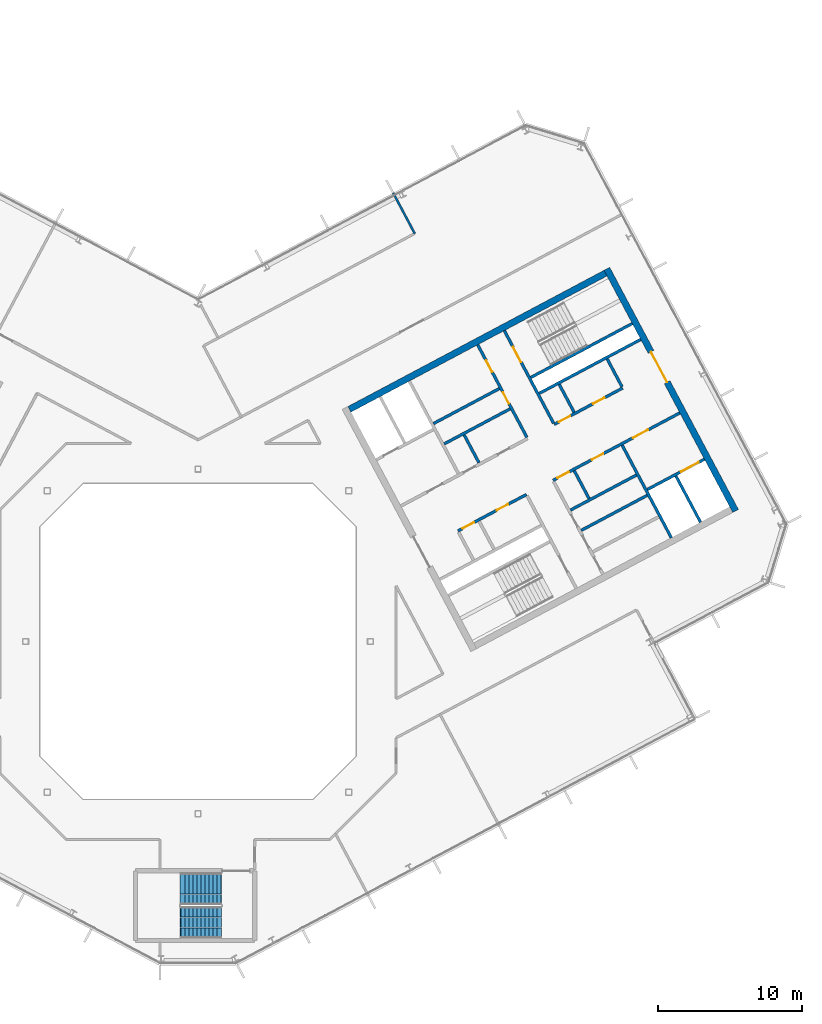
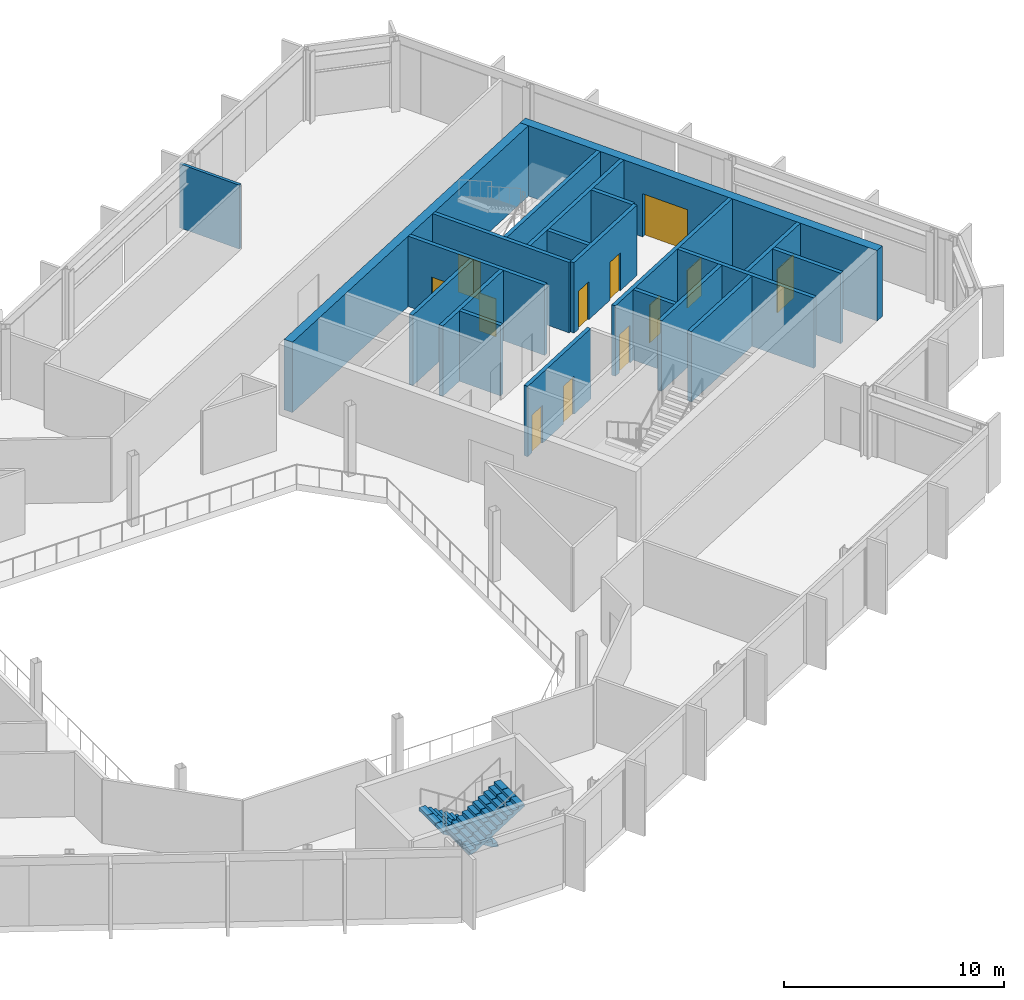
# One storey, part 16 of 25: 21 walls, 12 doors, 2 stair flights, 12 openings, 1 element without a shape of its own.
"""IFC4 building model written with IfcOpenShell, lengths in metres."""

import ifcopenshell
import ifcopenshell.guid

model = None  # the IFC model being written
_history = None  # IfcOwnerHistory: only IFC2X3 demands one
_inside = {}  # id of a spatial element -> (the spatial element, [elements in it])
_under = {}  # id of a project, library or spatial element -> (it, [spatial elements below it])
_declared = {}  # id of a project -> (the project, [libraries it declares])
_typed = {}  # id of a type object -> (the type object, [elements of that type])
_made_of = {}  # id of a material, layer set ... -> (it, [elements and type objects made of it])


def new_model(schema):
    """Start an empty IFC model of exactly this schema.

    Asked for "IFC4X3", IfcOpenShell would pick the latest addendum, in which some entities
    have other attributes; the version numbers below select the first issue.
    IFC2X3 requires an IfcOwnerHistory on every rooted entity: one is made here for all.
    """
    global model, _history
    if schema == "IFC4X3":
        model = ifcopenshell.file(schema_version=(4, 3, 0, 0))
    else:
        model = ifcopenshell.file(schema=schema)
    _inside.clear()
    _under.clear()
    _declared.clear()
    _typed.clear()
    _made_of.clear()
    _history = None
    if model.schema == "IFC2X3":
        org = make("IfcOrganization", Name="unknown")
        user = make(
            "IfcPersonAndOrganization",
            ThePerson=make("IfcPerson", FamilyName="unknown"),
            TheOrganization=org,
        )
        app = make(
            "IfcApplication",
            ApplicationDeveloper=org,
            Version="unknown",
            ApplicationFullName="unknown",
            ApplicationIdentifier="unknown",
        )
        _history = make(
            "IfcOwnerHistory",
            OwningUser=user,
            OwningApplication=app,
            ChangeAction="ADDED",
            CreationDate=0,
        )
    return model


def make(cls, **values):
    """One entity of the class cls with the attributes given. An attribute that is None is left unset."""
    return model.create_entity(
        cls, **{name: value for name, value in values.items() if value is not None}
    )


def rooted(cls, **values):
    """An entity with a GlobalId (a new one), such as an element, a storey or a relation."""
    return make(cls, GlobalId=ifcopenshell.guid.new(), OwnerHistory=_history, **values)


def si_unit(unit_type, name, prefix=None):
    """IfcSIUnit, for example si_unit("LENGTHUNIT", "METRE", prefix="MILLI")."""
    return make("IfcSIUnit", UnitType=unit_type, Prefix=prefix, Name=name)


def assignment(units):
    """IfcUnitAssignment: the units of a project."""
    return None if units is None else make("IfcUnitAssignment", Units=units)


def point(xyz):
    """IfcCartesianPoint."""
    return None if xyz is None else make("IfcCartesianPoint", Coordinates=xyz)


def direction(xyz):
    """IfcDirection."""
    return None if xyz is None else make("IfcDirection", DirectionRatios=xyz)


def frame(location, z_axis=None, x_axis=None):
    """IfcAxis2Placement3D, a coordinate frame: its origin and axes. An axis left out is left unset."""
    return make(
        "IfcAxis2Placement3D",
        Location=point(location),
        Axis=direction(z_axis),
        RefDirection=direction(x_axis),
    )


def frame_2d(location, x_axis=None):
    """IfcAxis2Placement2D, a coordinate frame in the plane: its origin and x axis."""
    return make(
        "IfcAxis2Placement2D", Location=point(location), RefDirection=direction(x_axis)
    )


def origin():
    """The frame at (0, 0, 0) with its axes left unset."""
    return frame((0.0, 0.0, 0.0))


def place(relative_to, where):
    """IfcLocalPlacement: puts the frame where relative to a parent placement (None: the world)."""
    return make(
        "IfcLocalPlacement", PlacementRelTo=relative_to, RelativePlacement=where
    )


def context(
    kind, dimensions, precision=None, world=None, true_north=None, identifier=None
):
    """IfcGeometricRepresentationContext, for example the 3D "Model" context."""
    return make(
        "IfcGeometricRepresentationContext",
        ContextIdentifier=identifier,
        ContextType=kind,
        CoordinateSpaceDimension=dimensions,
        Precision=precision,
        WorldCoordinateSystem=world,
        TrueNorth=true_north,
    )


def subcontext(parent, identifier, kind, view, scale=None):
    """IfcGeometricRepresentationSubContext, for example "Body" below "Model"."""
    return make(
        "IfcGeometricRepresentationSubContext",
        ContextIdentifier=identifier,
        ContextType=kind,
        ParentContext=parent,
        TargetScale=scale,
        TargetView=view,
    )


def project(units=None, contexts=None):
    """IfcProject with its units and contexts."""
    return rooted(
        "IfcProject",
        Name="project",
        RepresentationContexts=contexts,
        UnitsInContext=assignment(units),
    )


def spatial(cls, under=None, at=None, **own):
    """A site, building, storey or space (cls), placed at a placement, below another one or the project."""
    s = rooted(cls, ObjectPlacement=at, **own)
    if under is not None:
        _under.setdefault(under.id(), (under, []))[1].append(s)
    return s


def polyline(points):
    """IfcPolyline through the points."""
    return make("IfcPolyline", Points=[point(p) for p in points])


def profile(cls, at=None, kind="AREA", **sizes):
    """A parametric profile (cls). Its sizes go by their IFC names, for example OverallWidth=200.0."""
    return make(cls, ProfileType=kind, Position=at, **sizes)


def rectangle(**sizes):
    """IfcRectangleProfileDef."""
    return profile("IfcRectangleProfileDef", **sizes)


def outline(outer, holes=None, kind="AREA"):
    """IfcArbitraryClosedProfileDef: a profile drawn as a closed curve; with holes, ...WithVoids."""
    if holes is None:
        return make("IfcArbitraryClosedProfileDef", ProfileType=kind, OuterCurve=outer)
    return make(
        "IfcArbitraryProfileDefWithVoids",
        ProfileType=kind,
        OuterCurve=outer,
        InnerCurves=holes,
    )


def extrude(swept, where, along, depth):
    """IfcExtrudedAreaSolid: the profile swept, set in the frame where, extruded along a direction by depth."""
    return make(
        "IfcExtrudedAreaSolid",
        SweptArea=swept,
        Position=where,
        ExtrudedDirection=direction(along),
        Depth=depth,
    )


def shape(context_of_items, identifier, shape_type, items):
    """IfcShapeRepresentation: the items that make up one representation, for example the "Body"."""
    return make(
        "IfcShapeRepresentation",
        ContextOfItems=context_of_items,
        RepresentationIdentifier=identifier,
        RepresentationType=shape_type,
        Items=items,
    )


def material(Name=None, Category=None):
    """IfcMaterial."""
    return make("IfcMaterial", Name=Name, Category=Category)


def layer(
    of_material, thickness, ventilated=None, Name=None, Category=None, Priority=None
):
    """IfcMaterialLayer: one layer of a wall or slab, of a material (None: an air gap)."""
    return make(
        "IfcMaterialLayer",
        Material=of_material,
        LayerThickness=thickness,
        IsVentilated=ventilated,
        Name=Name,
        Category=Category,
        Priority=Priority,
    )


def layer_set(layers, Name=None):
    """IfcMaterialLayerSet."""
    return make("IfcMaterialLayerSet", MaterialLayers=layers, LayerSetName=Name)


def made_of(thing, what):
    """Note that an element or type object is made of a material, layer set ...; save() writes the relation."""
    if what is not None:
        _made_of.setdefault(what.id(), (what, []))[1].append(thing)
    return thing


def type_object(cls, material=None, **own):
    """A type object (cls), such as IfcWallType, which elements share."""
    return made_of(rooted(cls, **own), material)


def element(
    cls,
    number,
    at=None,
    inside=None,
    cuts=None,
    type_object=None,
    material=None,
    context=None,
    identifier="Body",
    shape_type=None,
    held_by="IfcProductDefinitionShape",
    body=None,
    shapes=None,
    **own,
):
    """One element of the class cls, such as IfcWall. Its Tag is "e" and its number.

    at: its placement. inside: the storey or other place that contains it. cuts: it is an
    opening in that element (IfcRelVoidsElement). A single representation is given by context,
    identifier, shape_type and body (its items); several are given by shapes. held_by: the class
    of the entity that holds the representations. save() writes the other relations.
    """
    e = rooted(cls, Tag="e%d" % number, ObjectPlacement=at, **own)
    if body is not None:
        shapes = [shape(context, identifier, shape_type, body)]
    if shapes is not None:
        e.Representation = make(held_by, Representations=shapes)
    if inside is not None:
        _inside.setdefault(inside.id(), (inside, []))[1].append(e)
    if cuts is not None:
        rooted(
            "IfcRelVoidsElement", RelatingBuildingElement=cuts, RelatedOpeningElement=e
        )
    if type_object is not None:
        _typed.setdefault(type_object.id(), (type_object, []))[1].append(e)
    return made_of(e, material)


def fill(opening, filler):
    """IfcRelFillsElement: the door or window that sits in an opening."""
    return rooted(
        "IfcRelFillsElement",
        RelatingOpeningElement=opening,
        RelatedBuildingElement=filler,
    )


def aggregate(whole, parts):
    """IfcRelAggregates: a whole, such as a stair, and the parts it consists of."""
    return rooted("IfcRelAggregates", RelatingObject=whole, RelatedObjects=parts)


def save(model, path):
    """Write the relations noted so far, then the file.

    IfcRelAggregates (storeys below a building ...), IfcRelContainedInSpatialStructure (elements
    in a storey), IfcRelDefinesByType, IfcRelAssociatesMaterial and IfcRelDeclares: one each for
    every whole, place, type object, material and project.
    """
    for whole, parts in _under.values():
        aggregate(whole, parts)
    for where, things in _inside.values():
        rooted(
            "IfcRelContainedInSpatialStructure",
            RelatedElements=things,
            RelatingStructure=where,
        )
    for kind, things in _typed.values():
        rooted("IfcRelDefinesByType", RelatedObjects=things, RelatingType=kind)
    for what, things in _made_of.values():
        rooted("IfcRelAssociatesMaterial", RelatedObjects=things, RelatingMaterial=what)
    for by, libraries in _declared.values():
        rooted("IfcRelDeclares", RelatingContext=by, RelatedDefinitions=libraries)
    model.write(path)


model = new_model("IFC4")

# Units and contexts
model_context = context("Model", 3, precision=1e-05, world=origin(), true_north=direction((0.0, 1.0)))
body_context = subcontext(model_context, "Body", "Model", "MODEL_VIEW")
ifc_project = project(units=[si_unit("LENGTHUNIT", "METRE"), si_unit("AREAUNIT", "SQUARE_METRE"), si_unit("VOLUMEUNIT", "CUBIC_METRE"), si_unit("PLANEANGLEUNIT", "RADIAN"), si_unit("MASSUNIT", "GRAM", prefix="KILO")], contexts=[model_context])

# Site, building, storey
site_placement = place(None, origin())
site = spatial("IfcSite", under=ifc_project, at=site_placement, CompositionType="ELEMENT")
building_placement = place(site_placement, origin())
building = spatial("IfcBuilding", under=site, at=building_placement, Name="Cormorant Relay Tower", CompositionType="ELEMENT")
storey_placement = place(building_placement, frame((0.0, 0.0, 297.0)))
storey = spatial("IfcBuildingStorey", under=building, at=storey_placement, Name="L67", CompositionType="ELEMENT", Elevation=297.0)

# Walls
ifc_material_1 = material(Name="Concrete 40 MPa", Category="concrete")
ifc_layer_1 = layer(ifc_material_1, 0.199951171875)
ifc_layer_set_1 = layer_set([ifc_layer_1], Name="Core internal wall 200")
wall_type_1 = type_object("IfcWallType", Name="Core internal wall 200", PredefinedType="SOLIDWALL", material=ifc_layer_set_1)
for number, where, z_axis, x_axis, name in (
    (1, (19.568603515625, 12.443603515625, 0.0), (0.0, 0.0, 1.0), (-0.4694473164, 0.882960484464, 0.0), "L67 core B shaft and room wall"),
    (2, (27.236083984375, 9.951416015625, 0.0), (0.0, 0.0, 1.0), (-0.4694473164, 0.882960484464, 0.0), "L67 core B shaft and room wall"),
    (3, (26.19091796875, 15.964599609375, 0.0), (0.0, 0.0, 1.0), (-0.469533832133, 0.882914480843, 0.0), "L67 core B shaft and room wall"),
):
    element("IfcWall", number, at=place(storey_placement, frame(where, z_axis=z_axis, x_axis=x_axis)), inside=storey, type_object=wall_type_1, Name=name, PredefinedType="SOLIDWALL", context=body_context, shape_type="SweptSolid", body=[
        extrude(rectangle(XDim=2.199951171875, YDim=0.199951171875, at=frame_2d((1.10009765625, 0.0))), origin(), (0.0, 0.0, 1.0), 3.89990234375),
    ])
for number, where, z_axis, x_axis, name in (
    (4, (26.692138671875, 7.73681640625, 0.0), (0.0, 0.0, 1.0), (0.882953967957, 0.469459572775, 0.0), "L67 core B shaft and room wall"),
    (5, (16.395751953125, 15.17333984375, 0.0), (0.0, 0.0, 1.0), (0.882934506056, 0.469496174655, 0.0), "L67 core B shaft and room wall"),
):
    element("IfcWall", number, at=place(storey_placement, frame(where, z_axis=z_axis, x_axis=x_axis)), inside=storey, type_object=wall_type_1, Name=name, PredefinedType="SOLIDWALL", context=body_context, shape_type="SweptSolid", body=[
        extrude(rectangle(XDim=5.199951171875, YDim=0.199951171875, at=frame_2d((2.60009765625, 0.0))), origin(), (0.0, 0.0, 1.0), 3.89990234375),
    ])

# Wall, openings, doors
ifc_material_2 = material(Name="Concrete 50 MPa", Category="concrete")
ifc_layer_2 = layer(ifc_material_2, 0.199951171875)
ifc_layer_set_2 = layer_set([ifc_layer_2], Name="Core shaft wall 200")
wall_type_2 = type_object("IfcWallType", Name="Core shaft wall 200", PredefinedType="SHEAR", material=ifc_layer_set_2)
wall_1_placement = place(storey_placement, frame((22.90625, 14.218017578125, 0.0), z_axis=(0.0, 0.0, 1.0), x_axis=(-0.469480409012, 0.88294288918, 0.0)))
wall_1 = element("IfcWall", 6, at=wall_1_placement, inside=storey, type_object=wall_type_2, Name="L67 core B shaft wall", PredefinedType="SHEAR", context=body_context, shape_type="SweptSolid", body=[
    extrude(rectangle(XDim=7.300048828125, YDim=0.199951171875, at=frame_2d((3.64990234375, 0.0))), origin(), (0.0, 0.0, 1.0), 3.89990234375),
])
opening_1_placement = place(wall_1_placement, frame((2.64990234375, 0.0, 0.0)))
opening_1 = element("IfcOpeningElement", 7, at=opening_1_placement, cuts=wall_1, Name="Opening CDD-304", PredefinedType="OPENING", context=body_context, shape_type="SweptSolid", body=[
    extrude(rectangle(XDim=0.89990234375, YDim=2.10009765625, at=frame_2d((0.449951171875, 1.050048828125))), frame((0.0, 0.10986328125, 0.0), z_axis=(0.0, -1.0, 0.0), x_axis=(1.0, 0.0, 0.0)), (0.0, 0.0, 1.0), 0.219970703125),
])
opening_2_placement = place(wall_1_placement, frame((5.14990234375, 0.0, 0.0)))
opening_2 = element("IfcOpeningElement", 8, at=opening_2_placement, cuts=wall_1, Name="Opening CDD-342", PredefinedType="OPENING", context=body_context, shape_type="SweptSolid", body=[
    extrude(rectangle(XDim=0.89990234375, YDim=2.10009765625, at=frame_2d((0.449951171875, 1.050048828125))), frame((0.0, 0.10986328125, 0.0), z_axis=(0.0, -1.0, 0.0), x_axis=(1.0, 0.0, 0.0)), (0.0, 0.0, 1.0), 0.219970703125),
])
ifc_material_3 = material(Name="Steel fire door", Category="steel")
door_type_1 = type_object("IfcDoorType", Name="Core room door 900x2100", OperationType="SINGLE_SWING_LEFT", PredefinedType="DOOR", material=ifc_material_3)
door_1_placement = place(opening_1_placement, origin())
door_1 = element("IfcDoor", 9, at=door_1_placement, inside=storey, type_object=door_type_1, Name="Core room door 900x2100", OperationType="SINGLE_SWING_RIGHT", OverallHeight=2.10009765625, OverallWidth=0.89990234375, PredefinedType="DOOR", context=body_context, shape_type="SweptSolid", body=[
    extrude(rectangle(XDim=0.89990234375, YDim=2.10009765625, at=frame_2d((0.449951171875, 1.050048828125))), frame((0.0, 0.02490234375, 0.0), z_axis=(0.0, -1.0, 0.0), x_axis=(1.0, 0.0, 0.0)), (0.0, 0.0, 1.0), 0.050048828125),
])
fill(opening_1, door_1)
door_2_placement = place(opening_2_placement, origin())
door_2 = element("IfcDoor", 10, at=door_2_placement, inside=storey, type_object=door_type_1, Name="Core room door 900x2100", OperationType="SINGLE_SWING_LEFT", OverallHeight=2.10009765625, OverallWidth=0.89990234375, PredefinedType="DOOR", context=body_context, shape_type="SweptSolid", body=[
    extrude(rectangle(XDim=0.89990234375, YDim=2.10009765625, at=frame_2d((0.449951171875, 1.050048828125))), frame((0.0, 0.02490234375, 0.0), z_axis=(0.0, -1.0, 0.0), x_axis=(1.0, 0.0, 0.0)), (0.0, 0.0, 1.0), 0.050048828125),
])
fill(opening_2, door_2)

# Wall, opening, door
wall_2_placement = place(storey_placement, frame((24.760498046875, 15.2041015625, 0.0), z_axis=(0.0, 0.0, 1.0), x_axis=(-0.469494272526, 0.882935517501, 0.0)))
wall_2 = element("IfcWall", 11, at=wall_2_placement, inside=storey, type_object=wall_type_2, Name="L67 core B shaft wall", PredefinedType="SHEAR", context=body_context, shape_type="SweptSolid", body=[
    extrude(rectangle(XDim=7.2998046875, YDim=0.199951171875, at=frame_2d((3.64990234375, 0.0))), origin(), (0.0, 0.0, 1.0), 3.89990234375),
])
opening_3_placement = place(wall_2_placement, frame((4.800048828125, 0.0, 0.0)))
opening_3 = element("IfcOpeningElement", 12, at=opening_3_placement, cuts=wall_2, Name="Opening CDB-041", PredefinedType="OPENING", context=body_context, shape_type="SweptSolid", body=[
    extrude(rectangle(XDim=1.199951171875, YDim=2.10009765625, at=frame_2d((0.60009765625, 1.050048828125))), frame((0.0, 0.10986328125, 0.0), z_axis=(0.0, -1.0, 0.0), x_axis=(1.0, 0.0, 0.0)), (0.0, 0.0, 1.0), 0.219970703125),
])
ifc_material_4 = material(Name="Steel fire door", Category="steel")
door_type_2 = type_object("IfcDoorType", Name="Core stair door 1200x2100", OperationType="SINGLE_SWING_LEFT", PredefinedType="DOOR", material=ifc_material_4)
door_3_placement = place(opening_3_placement, frame((1.199951171875, 0.0, 0.0), z_axis=(0.0, 0.0, 1.0), x_axis=(-1.0, 0.0, 0.0)))
door_3 = element("IfcDoor", 13, at=door_3_placement, inside=storey, type_object=door_type_2, Name="Core stair door 1200x2100", OperationType="SINGLE_SWING_RIGHT", OverallHeight=2.10009765625, OverallWidth=1.199951171875, PredefinedType="DOOR", context=body_context, shape_type="SweptSolid", body=[
    extrude(rectangle(XDim=1.199951171875, YDim=2.10009765625, at=frame_2d((0.60009765625, 1.050048828125))), frame((0.0, 0.02490234375, 0.0), z_axis=(0.0, -1.0, 0.0), x_axis=(1.0, 0.0, 0.0)), (0.0, 0.0, 1.0), 0.050048828125),
])
fill(opening_3, door_3)

# Walls
wall_3_placement = place(storey_placement, frame((32.968017578125, 7.222900390625, 0.0), z_axis=(0.0, 0.0, 1.0), x_axis=(-0.469480409012, 0.88294288918, 0.0)))
element("IfcWall", 14, at=wall_3_placement, inside=storey, type_object=wall_type_2, Name="L67 core B shaft wall", PredefinedType="SHEAR", context=body_context, shape_type="SweptSolid", body=[
    extrude(rectangle(XDim=7.300048828125, YDim=0.199951171875, at=frame_2d((3.64990234375, 0.0))), origin(), (0.0, 0.0, 1.0), 3.89990234375),
])
wall_4_placement = place(storey_placement, frame((29.5283203125, 17.739013671875, 0.0), z_axis=(0.0, 0.0, 1.0), x_axis=(-0.469401318492, 0.882984938828, 0.0)))
element("IfcWall", 15, at=wall_4_placement, inside=storey, type_object=wall_type_2, Name="L67 core B shaft wall", PredefinedType="SHEAR", context=body_context, shape_type="SweptSolid", body=[
    extrude(rectangle(XDim=2.199951171875, YDim=0.199951171875, at=frame_2d((1.10009765625, 0.0))), origin(), (0.0, 0.0, 1.0), 3.89990234375),
])
wall_5_placement = place(storey_placement, frame((34.998779296875, 8.302734375, 0.0), z_axis=(0.0, 0.0, 1.0), x_axis=(-0.4694665462, 0.882950260207, 0.0)))
element("IfcWall", 16, at=wall_5_placement, inside=storey, type_object=wall_type_2, Name="L67 core B shaft wall", PredefinedType="SHEAR", context=body_context, shape_type="SweptSolid", body=[
    extrude(rectangle(XDim=3.650146484375, YDim=0.199951171875, at=frame_2d((1.8251953125, 0.0))), origin(), (0.0, 0.0, 1.0), 3.89990234375),
])

# Wall, opening, door
wall_6_placement = place(storey_placement, frame((31.295654296875, 10.5810546875, 0.0), z_axis=(0.0, 0.0, 1.0), x_axis=(0.882960433586, 0.469447412093, 0.0)))
wall_6 = element("IfcWall", 17, at=wall_6_placement, inside=storey, type_object=wall_type_2, Name="L67 core B shaft wall", PredefinedType="SHEAR", context=body_context, shape_type="SweptSolid", body=[
    extrude(rectangle(XDim=4.5, YDim=0.199951171875, at=frame_2d((2.25, 0.0))), origin(), (0.0, 0.0, 1.0), 3.89990234375),
])
opening_4_placement = place(wall_6_placement, frame((2.64990234375, 0.0, 0.0)))
opening_4 = element("IfcOpeningElement", 18, at=opening_4_placement, cuts=wall_6, Name="Opening LD3-016", PredefinedType="OPENING", context=body_context, shape_type="SweptSolid", body=[
    extrude(rectangle(XDim=1.39990234375, YDim=2.39990234375, at=frame_2d((0.699951171875, 1.199951171875))), frame((0.0, 0.10986328125, 0.0), z_axis=(0.0, -1.0, 0.0), x_axis=(1.0, 0.0, 0.0)), (0.0, 0.0, 1.0), 0.219970703125),
])
ifc_material_5 = material(Name="Stainless steel 316", Category="steel")
door_type_3 = type_object("IfcDoorType", Name="Lift landing door 1400x2400", OperationType="DOUBLE_DOOR_SLIDING", PredefinedType="DOOR", material=ifc_material_5)
door_4_placement = place(opening_4_placement, origin())
door_4 = element("IfcDoor", 19, at=door_4_placement, inside=storey, type_object=door_type_3, Name="SV2 landing door", OperationType="DOUBLE_DOOR_SLIDING", OverallHeight=2.39990234375, OverallWidth=1.39990234375, PredefinedType="DOOR", context=body_context, shape_type="SweptSolid", body=[
    extrude(rectangle(XDim=1.39990234375, YDim=2.39990234375, at=frame_2d((0.699951171875, 1.199951171875))), frame((0.0, 0.02490234375, 0.0), z_axis=(0.0, -1.0, 0.0), x_axis=(1.0, 0.0, 0.0)), (0.0, 0.0, 1.0), 0.050048828125),
])
fill(opening_4, door_4)

# Wall
wall_7_placement = place(storey_placement, frame((25.94091796875, 9.149658203125, 0.0), z_axis=(0.0, 0.0, 1.0), x_axis=(0.882953967957, 0.469459572775, 0.0)))
element("IfcWall", 20, at=wall_7_placement, inside=storey, type_object=wall_type_2, Name="L67 core B shaft wall", PredefinedType="SHEAR", context=body_context, shape_type="SweptSolid", body=[
    extrude(rectangle(XDim=5.199951171875, YDim=0.199951171875, at=frame_2d((2.60009765625, 0.0))), origin(), (0.0, 0.0, 1.0), 3.89990234375),
])

# Wall, openings, doors
wall_8_placement = place(storey_placement, frame((18.103759765625, 7.70068359375, 0.0), z_axis=(0.0, 0.0, 1.0), x_axis=(0.882952937579, 0.469461510692, 0.0)))
wall_8 = element("IfcWall", 21, at=wall_8_placement, inside=storey, type_object=wall_type_2, Name="L67 core B shaft wall", PredefinedType="SHEAR", context=body_context, shape_type="SweptSolid", body=[
    extrude(rectangle(XDim=5.400146484375, YDim=0.199951171875, at=frame_2d((2.7001953125, 0.0))), origin(), (0.0, 0.0, 1.0), 3.89990234375),
])
opening_5_placement = place(wall_8_placement, frame((0.360107421875, 0.0, 0.0)))
opening_5 = element("IfcOpeningElement", 22, at=opening_5_placement, cuts=wall_8, Name="Opening CDD-245", PredefinedType="OPENING", context=body_context, shape_type="SweptSolid", body=[
    extrude(rectangle(XDim=0.89990234375, YDim=2.10009765625, at=frame_2d((0.449951171875, 1.050048828125))), frame((0.0, 0.10986328125, 0.0), z_axis=(0.0, -1.0, 0.0), x_axis=(1.0, 0.0, 0.0)), (0.0, 0.0, 1.0), 0.219970703125),
])
opening_6_placement = place(wall_8_placement, frame((3.06005859375, 0.0, 0.0)))
opening_6 = element("IfcOpeningElement", 23, at=opening_6_placement, cuts=wall_8, Name="Opening CDD-246", PredefinedType="OPENING", context=body_context, shape_type="SweptSolid", body=[
    extrude(rectangle(XDim=0.89990234375, YDim=2.10009765625, at=frame_2d((0.449951171875, 1.050048828125))), frame((0.0, 0.10986328125, 0.0), z_axis=(0.0, -1.0, 0.0), x_axis=(1.0, 0.0, 0.0)), (0.0, 0.0, 1.0), 0.219970703125),
])
door_5_placement = place(opening_5_placement, frame((0.89990234375, 0.0, 0.0), z_axis=(0.0, 0.0, 1.0), x_axis=(-1.0, 0.0, 0.0)))
door_5 = element("IfcDoor", 24, at=door_5_placement, inside=storey, type_object=door_type_1, Name="Core room door 900x2100", OperationType="SINGLE_SWING_RIGHT", OverallHeight=2.10009765625, OverallWidth=0.89990234375, PredefinedType="DOOR", context=body_context, shape_type="SweptSolid", body=[
    extrude(rectangle(XDim=0.89990234375, YDim=2.10009765625, at=frame_2d((0.449951171875, 1.050048828125))), frame((0.0, 0.02490234375, 0.0), z_axis=(0.0, -1.0, 0.0), x_axis=(1.0, 0.0, 0.0)), (0.0, 0.0, 1.0), 0.050048828125),
])
fill(opening_5, door_5)
door_6_placement = place(opening_6_placement, frame((0.89990234375, 0.0, 0.0), z_axis=(0.0, 0.0, 1.0), x_axis=(-1.0, 0.0, 0.0)))
door_6 = element("IfcDoor", 25, at=door_6_placement, inside=storey, type_object=door_type_1, Name="Core room door 900x2100", OperationType="SINGLE_SWING_RIGHT", OverallHeight=2.10009765625, OverallWidth=0.89990234375, PredefinedType="DOOR", context=body_context, shape_type="SweptSolid", body=[
    extrude(rectangle(XDim=0.89990234375, YDim=2.10009765625, at=frame_2d((0.449951171875, 1.050048828125))), frame((0.0, 0.02490234375, 0.0), z_axis=(0.0, -1.0, 0.0), x_axis=(1.0, 0.0, 0.0)), (0.0, 0.0, 1.0), 0.050048828125),
])
fill(opening_6, door_6)

wall_9_placement = place(storey_placement, frame((24.72607421875, 11.2216796875, 0.0), z_axis=(0.0, 0.0, 1.0), x_axis=(0.882940221191, 0.469485426614, 0.0)))
wall_9 = element("IfcWall", 26, at=wall_9_placement, inside=storey, type_object=wall_type_2, Name="L67 core B shaft wall", PredefinedType="SHEAR", context=body_context, shape_type="SweptSolid", body=[
    extrude(rectangle(XDim=10.0, YDim=0.199951171875, at=frame_2d((5.0, 0.0))), origin(), (0.0, 0.0, 1.0), 3.89990234375),
])
opening_7_placement = place(wall_9_placement, frame((6.300048828125, 0.0, 0.0)))
opening_7 = element("IfcOpeningElement", 27, at=opening_7_placement, cuts=wall_9, Name="Opening CDC-036", PredefinedType="OPENING", context=body_context, shape_type="SweptSolid", body=[
    extrude(rectangle(XDim=1.199951171875, YDim=2.10009765625, at=frame_2d((0.60009765625, 1.050048828125))), frame((0.0, 0.10986328125, 0.0), z_axis=(0.0, -1.0, 0.0), x_axis=(1.0, 0.0, 0.0)), (0.0, 0.0, 1.0), 0.219970703125),
])
opening_8_placement = place(wall_9_placement, frame((0.360107421875, 0.0, 0.0)))
opening_8 = element("IfcOpeningElement", 28, at=opening_8_placement, cuts=wall_9, Name="Opening CDD-247", PredefinedType="OPENING", context=body_context, shape_type="SweptSolid", body=[
    extrude(rectangle(XDim=0.89990234375, YDim=2.10009765625, at=frame_2d((0.449951171875, 1.050048828125))), frame((0.0, 0.10986328125, 0.0), z_axis=(0.0, -1.0, 0.0), x_axis=(1.0, 0.0, 0.0)), (0.0, 0.0, 1.0), 0.219970703125),
])
opening_9_placement = place(wall_9_placement, frame((3.06005859375, 0.0, 0.0)))
opening_9 = element("IfcOpeningElement", 29, at=opening_9_placement, cuts=wall_9, Name="Opening CDD-248", PredefinedType="OPENING", context=body_context, shape_type="SweptSolid", body=[
    extrude(rectangle(XDim=0.89990234375, YDim=2.10009765625, at=frame_2d((0.449951171875, 1.050048828125))), frame((0.0, 0.10986328125, 0.0), z_axis=(0.0, -1.0, 0.0), x_axis=(1.0, 0.0, 0.0)), (0.0, 0.0, 1.0), 0.219970703125),
])
ifc_material_6 = material(Name="Steel fire door", Category="steel")
door_type_4 = type_object("IfcDoorType", Name="Core lobby door 1200x2100", OperationType="SINGLE_SWING_LEFT", PredefinedType="DOOR", material=ifc_material_6)
door_7_placement = place(opening_7_placement, frame((1.199951171875, 0.0, 0.0), z_axis=(0.0, 0.0, 1.0), x_axis=(-1.0, 0.0, 0.0)))
door_7 = element("IfcDoor", 30, at=door_7_placement, inside=storey, type_object=door_type_4, Name="Core lobby door 1200x2100", OperationType="SINGLE_SWING_RIGHT", OverallHeight=2.10009765625, OverallWidth=1.199951171875, PredefinedType="DOOR", context=body_context, shape_type="SweptSolid", body=[
    extrude(rectangle(XDim=1.199951171875, YDim=2.10009765625, at=frame_2d((0.60009765625, 1.050048828125))), frame((0.0, 0.02490234375, 0.0), z_axis=(0.0, -1.0, 0.0), x_axis=(1.0, 0.0, 0.0)), (0.0, 0.0, 1.0), 0.050048828125),
])
fill(opening_7, door_7)
door_8_placement = place(opening_8_placement, frame((0.89990234375, 0.0, 0.0), z_axis=(0.0, 0.0, 1.0), x_axis=(-1.0, 0.0, 0.0)))
door_8 = element("IfcDoor", 31, at=door_8_placement, inside=storey, type_object=door_type_1, Name="Core room door 900x2100", OperationType="SINGLE_SWING_RIGHT", OverallHeight=2.10009765625, OverallWidth=0.89990234375, PredefinedType="DOOR", context=body_context, shape_type="SweptSolid", body=[
    extrude(rectangle(XDim=0.89990234375, YDim=2.10009765625, at=frame_2d((0.449951171875, 1.050048828125))), frame((0.0, 0.02490234375, 0.0), z_axis=(0.0, -1.0, 0.0), x_axis=(1.0, 0.0, 0.0)), (0.0, 0.0, 1.0), 0.050048828125),
])
fill(opening_8, door_8)
door_9_placement = place(opening_9_placement, frame((0.89990234375, 0.0, 0.0), z_axis=(0.0, 0.0, 1.0), x_axis=(-1.0, 0.0, 0.0)))
door_9 = element("IfcDoor", 32, at=door_9_placement, inside=storey, type_object=door_type_1, Name="Core room door 900x2100", OperationType="SINGLE_SWING_RIGHT", OverallHeight=2.10009765625, OverallWidth=0.89990234375, PredefinedType="DOOR", context=body_context, shape_type="SweptSolid", body=[
    extrude(rectangle(XDim=0.89990234375, YDim=2.10009765625, at=frame_2d((0.449951171875, 1.050048828125))), frame((0.0, 0.02490234375, 0.0), z_axis=(0.0, -1.0, 0.0), x_axis=(1.0, 0.0, 0.0)), (0.0, 0.0, 1.0), 0.050048828125),
])
fill(opening_9, door_9)

wall_10_placement = place(storey_placement, frame((24.807373046875, 15.11572265625, 0.0), z_axis=(0.0, 0.0, 1.0), x_axis=(0.882942972946, 0.469480251476, 0.0)))
wall_10 = element("IfcWall", 33, at=wall_10_placement, inside=storey, type_object=wall_type_2, Name="L67 core B shaft wall", PredefinedType="SHEAR", context=body_context, shape_type="SweptSolid", body=[
    extrude(rectangle(XDim=5.39990234375, YDim=0.199951171875, at=frame_2d((2.699951171875, 0.0))), origin(), (0.0, 0.0, 1.0), 3.89990234375),
])
opening_10_placement = place(wall_10_placement, frame((0.360107421875, 0.0, 0.0)))
opening_10 = element("IfcOpeningElement", 34, at=opening_10_placement, cuts=wall_10, Name="Opening CDD-243", PredefinedType="OPENING", context=body_context, shape_type="SweptSolid", body=[
    extrude(rectangle(XDim=0.89990234375, YDim=2.10009765625, at=frame_2d((0.449951171875, 1.050048828125))), frame((0.0, 0.10986328125, 0.0), z_axis=(0.0, -1.0, 0.0), x_axis=(1.0, 0.0, 0.0)), (0.0, 0.0, 1.0), 0.219970703125),
])
opening_11_placement = place(wall_10_placement, frame((3.06005859375, 0.0, 0.0)))
opening_11 = element("IfcOpeningElement", 35, at=opening_11_placement, cuts=wall_10, Name="Opening CDD-294", PredefinedType="OPENING", context=body_context, shape_type="SweptSolid", body=[
    extrude(rectangle(XDim=0.89990234375, YDim=2.10009765625, at=frame_2d((0.449951171875, 1.050048828125))), frame((0.0, 0.10986328125, 0.0), z_axis=(0.0, -1.0, 0.0), x_axis=(1.0, 0.0, 0.0)), (0.0, 0.0, 1.0), 0.219970703125),
])
door_10_placement = place(opening_10_placement, origin())
door_10 = element("IfcDoor", 36, at=door_10_placement, inside=storey, type_object=door_type_1, Name="Core room door 900x2100", OperationType="SINGLE_SWING_LEFT", OverallHeight=2.10009765625, OverallWidth=0.89990234375, PredefinedType="DOOR", context=body_context, shape_type="SweptSolid", body=[
    extrude(rectangle(XDim=0.89990234375, YDim=2.10009765625, at=frame_2d((0.449951171875, 1.050048828125))), frame((0.0, 0.02490234375, 0.0), z_axis=(0.0, -1.0, 0.0), x_axis=(1.0, 0.0, 0.0)), (0.0, 0.0, 1.0), 0.050048828125),
])
fill(opening_10, door_10)
door_11_placement = place(opening_11_placement, origin())
door_11 = element("IfcDoor", 37, at=door_11_placement, inside=storey, type_object=door_type_1, Name="Core room door 900x2100", OperationType="SINGLE_SWING_LEFT", OverallHeight=2.10009765625, OverallWidth=0.89990234375, PredefinedType="DOOR", context=body_context, shape_type="SweptSolid", body=[
    extrude(rectangle(XDim=0.89990234375, YDim=2.10009765625, at=frame_2d((0.449951171875, 1.050048828125))), frame((0.0, 0.02490234375, 0.0), z_axis=(0.0, -1.0, 0.0), x_axis=(1.0, 0.0, 0.0)), (0.0, 0.0, 1.0), 0.050048828125),
])
fill(opening_11, door_11)

# Walls
wall_11_placement = place(storey_placement, frame((17.146728515625, 13.7607421875, 0.0), z_axis=(0.0, 0.0, 1.0), x_axis=(0.882964314875, 0.469440111896, 0.0)))
element("IfcWall", 38, at=wall_11_placement, inside=storey, type_object=wall_type_2, Name="L67 core B shaft wall", PredefinedType="SHEAR", context=body_context, shape_type="SweptSolid", body=[
    extrude(rectangle(XDim=5.2001953125, YDim=0.199951171875, at=frame_2d((2.60009765625, 0.0))), origin(), (0.0, 0.0, 1.0), 3.89990234375),
])
wall_12_placement = place(storey_placement, frame((23.76904296875, 17.28173828125, 0.0), z_axis=(0.0, 0.0, 1.0), x_axis=(0.882940221191, 0.469485426614, 0.0)))
element("IfcWall", 39, at=wall_12_placement, inside=storey, type_object=wall_type_2, Name="L67 core B shaft wall", PredefinedType="SHEAR", context=body_context, shape_type="SweptSolid", body=[
    extrude(rectangle(XDim=8.0, YDim=0.199951171875, at=frame_2d((4.0, 0.0))), origin(), (0.0, 0.0, 1.0), 3.89990234375),
])
wall_13_placement = place(storey_placement, frame((23.18212890625, 18.385498046875, 0.0), z_axis=(0.0, 0.0, 1.0), x_axis=(0.88295287151, 0.469461634952, 0.0)))
element("IfcWall", 40, at=wall_13_placement, inside=storey, type_object=wall_type_2, Name="L67 core B shaft wall", PredefinedType="SHEAR", context=body_context, shape_type="SweptSolid", body=[
    extrude(rectangle(XDim=7.999755859375, YDim=0.199951171875, at=frame_2d((4.0, 0.0))), origin(), (0.0, 0.0, 1.0), 3.89990234375),
])

# Wall, opening, door
ifc_material_7 = material(Name="Concrete 50 MPa", Category="concrete")
ifc_layer_3 = layer(ifc_material_7, 0.449951171875)
ifc_layer_set_3 = layer_set([ifc_layer_3], Name="Core wall 450")
wall_type_3 = type_object("IfcWallType", Name="Core wall 450", PredefinedType="SHEAR", material=ifc_layer_set_3)
wall_14_placement = place(storey_placement, frame((37.439453125, 9.0908203125, 0.0), z_axis=(0.0, 0.0, 1.0), x_axis=(-0.469467968382, 0.882949504028, 0.0)))
wall_14 = element("IfcWall", 41, at=wall_14_placement, inside=storey, type_object=wall_type_3, Name="L67 core B wall", PredefinedType="SHEAR", context=body_context, shape_type="SweptSolid", body=[
    extrude(rectangle(XDim=19.099853515625, YDim=0.449951171875, at=frame_2d((9.5498046875, 0.0))), origin(), (0.0, 0.0, 1.0), 3.89990234375),
])
opening_12_placement = place(wall_14_placement, frame((10.14990234375, 0.0, 0.0)))
opening_12 = element("IfcOpeningElement", 42, at=opening_12_placement, cuts=wall_14, Name="Opening CDA-057", PredefinedType="OPENING", context=body_context, shape_type="SweptSolid", body=[
    extrude(rectangle(XDim=2.39990234375, YDim=2.39990234375, at=frame_2d((1.199951171875, 1.199951171875))), frame((0.0, 0.23486328125, 0.0), z_axis=(0.0, -1.0, 0.0), x_axis=(1.0, 0.0, 0.0)), (0.0, 0.0, 1.0), 0.469970703125),
])
ifc_material_8 = material(Name="Steel fire door", Category="steel")
door_type_5 = type_object("IfcDoorType", Name="Core lobby door 2400x2400", OperationType="DOUBLE_DOOR_SINGLE_SWING", PredefinedType="DOOR", material=ifc_material_8)
door_12_placement = place(opening_12_placement, frame((2.39990234375, 0.0, 0.0), z_axis=(0.0, 0.0, 1.0), x_axis=(-1.0, 0.0, 0.0)))
door_12 = element("IfcDoor", 43, at=door_12_placement, inside=storey, type_object=door_type_5, Name="Core lobby door 2400x2400", OperationType="DOUBLE_DOOR_SINGLE_SWING", OverallHeight=2.39990234375, OverallWidth=2.39990234375, PredefinedType="DOOR", context=body_context, shape_type="SweptSolid", body=[
    extrude(rectangle(XDim=2.39990234375, YDim=2.39990234375, at=frame_2d((1.199951171875, 1.199951171875))), frame((0.0, 0.02490234375, 0.0), z_axis=(0.0, -1.0, 0.0), x_axis=(1.0, 0.0, 0.0)), (0.0, 0.0, 1.0), 0.050048828125),
])
fill(opening_12, door_12)

# Walls
wall_15_placement = place(storey_placement, frame((10.5439453125, 16.16748046875, 0.0), z_axis=(0.0, 0.0, 1.0), x_axis=(0.882947755831, 0.46947125628, 0.0)))
element("IfcWall", 44, at=wall_15_placement, inside=storey, type_object=wall_type_3, Name="L67 core B wall", PredefinedType="SHEAR", context=body_context, shape_type="SweptSolid", body=[
    extrude(rectangle(XDim=20.2001953125, YDim=0.449951171875, at=frame_2d((10.10009765625, 0.0))), origin(), (0.0, 0.0, 1.0), 3.89990234375),
])
ifc_material_9 = material(Name="Gypsum board partition")
ifc_layer_4 = layer(ifc_material_9, 0.14990234375)
ifc_layer_set_4 = layer_set([ifc_layer_4], Name="Tenant partition 150")
wall_type_4 = type_object("IfcWallType", Name="Tenant partition 150", PredefinedType="PARTITIONING", material=ifc_layer_set_4)
wall_16_placement = place(storey_placement, frame((15.093994140625, 28.412109375, 0.0), z_axis=(0.0, 0.0, 1.0), x_axis=(-0.469082703107, 0.883154243406, 0.0)))
element("IfcWall", 45, at=wall_16_placement, inside=storey, type_object=wall_type_4, Name="wall/L67/part/030", PredefinedType="PARTITIONING", context=body_context, shape_type="SweptSolid", body=[
    extrude(rectangle(XDim=3.19970703125, YDim=0.14990234375, at=frame_2d((1.599853515625, 0.0))), origin(), (0.0, 0.0, 1.0), 3.5400390625),
])

# Stair, stair flights
ifc_material_10 = material(Name="Concrete 40 MPa", Category="concrete")
stair_type = type_object("IfcStairType", Name="Remote exit stair 2200", PredefinedType="HALF_TURN_STAIR", material=ifc_material_10)
stair_placement = place(storey_placement, origin())
stair = element("IfcStair", 46, at=stair_placement, inside=storey, type_object=stair_type, Name="L67 Stair", PredefinedType="HALF_TURN_STAIR")
ifc_material_11 = material(Name="Concrete 40 MPa", Category="concrete")
stair_flight_type = type_object("IfcStairFlightType", Name="Remote exit stair flight 2200", PredefinedType="STRAIGHT", material=ifc_material_11)
stair_flight_1_placement = place(storey_placement, frame((1.60009765625, -17.22509765625, 0.0), z_axis=(0.0, 0.0, 1.0), x_axis=(-1.0, 0.0, 0.0)))
stair_flight_1 = element("IfcStairFlight", 47, at=stair_flight_1_placement, type_object=stair_flight_type, Name="RK1 flight 1", NumberOfRisers=11, NumberOfTreads=10, PredefinedType="STRAIGHT", RiserHeight=0.177272727, TreadLength=0.28, context=body_context, shape_type="SweptSolid", body=[
    extrude(outline(polyline([(-0.050048828125, -0.080078125), (-0.050048828125, 0.0), (0.0, 0.0), (0.0, 0.17724609375), (0.280029296875, 0.17724609375), (0.280029296875, 0.3544921875), (0.56005859375, 0.3544921875), (0.56005859375, 0.53173828125), (0.840087890625, 0.53173828125), (0.840087890625, 0.708984375), (1.1201171875, 0.708984375), (1.1201171875, 0.886474609375), (1.39990234375, 0.886474609375), (1.39990234375, 1.063720703125), (1.679931640625, 1.063720703125), (1.679931640625, 1.240966796875), (1.9599609375, 1.240966796875), (1.9599609375, 1.418212890625), (2.239990234375, 1.418212890625), (2.239990234375, 1.595458984375), (2.52001953125, 1.595458984375), (2.52001953125, 1.772705078125), (2.800048828125, 1.772705078125), (2.85009765625, 1.772705078125), (2.85009765625, 1.59521484375), (2.800048828125, 1.59521484375), (0.2802734375, 0.0), (-0.050048828125, -0.080078125)])), frame((0.0, 1.10009765625, 0.0), z_axis=(0.0, -1.0, 0.0), x_axis=(1.0, 0.0, 0.0)), (0.0, 0.0, 1.0), 0.719970703125),
    extrude(outline(polyline([(-0.050048828125, -0.080078125), (-0.050048828125, 0.0), (0.0, 0.0), (0.0, 0.17724609375), (0.280029296875, 0.17724609375), (0.280029296875, 0.3544921875), (0.56005859375, 0.3544921875), (0.56005859375, 0.53173828125), (0.840087890625, 0.53173828125), (0.840087890625, 0.708984375), (1.1201171875, 0.708984375), (1.1201171875, 0.886474609375), (1.39990234375, 0.886474609375), (1.39990234375, 1.063720703125), (1.679931640625, 1.063720703125), (1.679931640625, 1.240966796875), (1.9599609375, 1.240966796875), (1.9599609375, 1.418212890625), (2.239990234375, 1.418212890625), (2.239990234375, 1.595458984375), (2.52001953125, 1.595458984375), (2.52001953125, 1.772705078125), (2.800048828125, 1.772705078125), (2.85009765625, 1.772705078125), (2.85009765625, 1.59521484375), (2.800048828125, 1.59521484375), (0.2802734375, 0.0), (-0.050048828125, -0.080078125)])), frame((0.0, 0.360107421875, 0.0), z_axis=(0.0, -1.0, 0.0), x_axis=(1.0, 0.0, 0.0)), (0.0, 0.0, 1.0), 0.719970703125),
    extrude(outline(polyline([(-0.050048828125, -0.080078125), (-0.050048828125, 0.0), (0.0, 0.0), (0.0, 0.17724609375), (0.280029296875, 0.17724609375), (0.280029296875, 0.3544921875), (0.56005859375, 0.3544921875), (0.56005859375, 0.53173828125), (0.840087890625, 0.53173828125), (0.840087890625, 0.708984375), (1.1201171875, 0.708984375), (1.1201171875, 0.886474609375), (1.39990234375, 0.886474609375), (1.39990234375, 1.063720703125), (1.679931640625, 1.063720703125), (1.679931640625, 1.240966796875), (1.9599609375, 1.240966796875), (1.9599609375, 1.418212890625), (2.239990234375, 1.418212890625), (2.239990234375, 1.595458984375), (2.52001953125, 1.595458984375), (2.52001953125, 1.772705078125), (2.800048828125, 1.772705078125), (2.85009765625, 1.772705078125), (2.85009765625, 1.59521484375), (2.800048828125, 1.59521484375), (0.2802734375, 0.0), (-0.050048828125, -0.080078125)])), frame((0.0, -0.3798828125, 0.0), z_axis=(0.0, -1.0, 0.0), x_axis=(1.0, 0.0, 0.0)), (0.0, 0.0, 1.0), 0.719970703125),
])
stair_flight_2_placement = place(storey_placement, frame((-1.199951171875, -19.574951171875, 1.949951171875), z_axis=(0.0, 0.0, 1.0), x_axis=(1.0, 0.0, 0.0)))
stair_flight_2 = element("IfcStairFlight", 48, at=stair_flight_2_placement, type_object=stair_flight_type, Name="RK1 flight 2", NumberOfRisers=11, NumberOfTreads=10, PredefinedType="STRAIGHT", RiserHeight=0.177272727, TreadLength=0.28, context=body_context, shape_type="SweptSolid", body=[
    extrude(outline(polyline([(-0.050048828125, -0.080078125), (-0.050048828125, 0.0), (0.0, 0.0), (0.0, 0.17724609375), (0.280029296875, 0.17724609375), (0.280029296875, 0.3544921875), (0.56005859375, 0.3544921875), (0.56005859375, 0.53173828125), (0.840087890625, 0.53173828125), (0.840087890625, 0.708984375), (1.1201171875, 0.708984375), (1.1201171875, 0.886474609375), (1.39990234375, 0.886474609375), (1.39990234375, 1.063720703125), (1.679931640625, 1.063720703125), (1.679931640625, 1.240966796875), (1.9599609375, 1.240966796875), (1.9599609375, 1.418212890625), (2.239990234375, 1.418212890625), (2.239990234375, 1.595458984375), (2.52001953125, 1.595458984375), (2.52001953125, 1.772705078125), (2.800048828125, 1.772705078125), (2.85009765625, 1.772705078125), (2.85009765625, 1.59521484375), (2.800048828125, 1.59521484375), (0.2802734375, 0.0), (-0.050048828125, -0.080078125)])), frame((0.0, 1.10009765625, 0.0), z_axis=(0.0, -1.0, 0.0), x_axis=(1.0, 0.0, 0.0)), (0.0, 0.0, 1.0), 0.719970703125),
    extrude(outline(polyline([(-0.050048828125, -0.080078125), (-0.050048828125, 0.0), (0.0, 0.0), (0.0, 0.17724609375), (0.280029296875, 0.17724609375), (0.280029296875, 0.3544921875), (0.56005859375, 0.3544921875), (0.56005859375, 0.53173828125), (0.840087890625, 0.53173828125), (0.840087890625, 0.708984375), (1.1201171875, 0.708984375), (1.1201171875, 0.886474609375), (1.39990234375, 0.886474609375), (1.39990234375, 1.063720703125), (1.679931640625, 1.063720703125), (1.679931640625, 1.240966796875), (1.9599609375, 1.240966796875), (1.9599609375, 1.418212890625), (2.239990234375, 1.418212890625), (2.239990234375, 1.595458984375), (2.52001953125, 1.595458984375), (2.52001953125, 1.772705078125), (2.800048828125, 1.772705078125), (2.85009765625, 1.772705078125), (2.85009765625, 1.59521484375), (2.800048828125, 1.59521484375), (0.2802734375, 0.0), (-0.050048828125, -0.080078125)])), frame((0.0, 0.360107421875, 0.0), z_axis=(0.0, -1.0, 0.0), x_axis=(1.0, 0.0, 0.0)), (0.0, 0.0, 1.0), 0.719970703125),
    extrude(outline(polyline([(-0.050048828125, -0.080078125), (-0.050048828125, 0.0), (0.0, 0.0), (0.0, 0.17724609375), (0.280029296875, 0.17724609375), (0.280029296875, 0.3544921875), (0.56005859375, 0.3544921875), (0.56005859375, 0.53173828125), (0.840087890625, 0.53173828125), (0.840087890625, 0.708984375), (1.1201171875, 0.708984375), (1.1201171875, 0.886474609375), (1.39990234375, 0.886474609375), (1.39990234375, 1.063720703125), (1.679931640625, 1.063720703125), (1.679931640625, 1.240966796875), (1.9599609375, 1.240966796875), (1.9599609375, 1.418212890625), (2.239990234375, 1.418212890625), (2.239990234375, 1.595458984375), (2.52001953125, 1.595458984375), (2.52001953125, 1.772705078125), (2.800048828125, 1.772705078125), (2.85009765625, 1.772705078125), (2.85009765625, 1.59521484375), (2.800048828125, 1.59521484375), (0.2802734375, 0.0), (-0.050048828125, -0.080078125)])), frame((0.0, -0.3798828125, 0.0), z_axis=(0.0, -1.0, 0.0), x_axis=(1.0, 0.0, 0.0)), (0.0, 0.0, 1.0), 0.719970703125),
])
aggregate(stair, [stair_flight_1, stair_flight_2])

save(model, "model.ifc")
